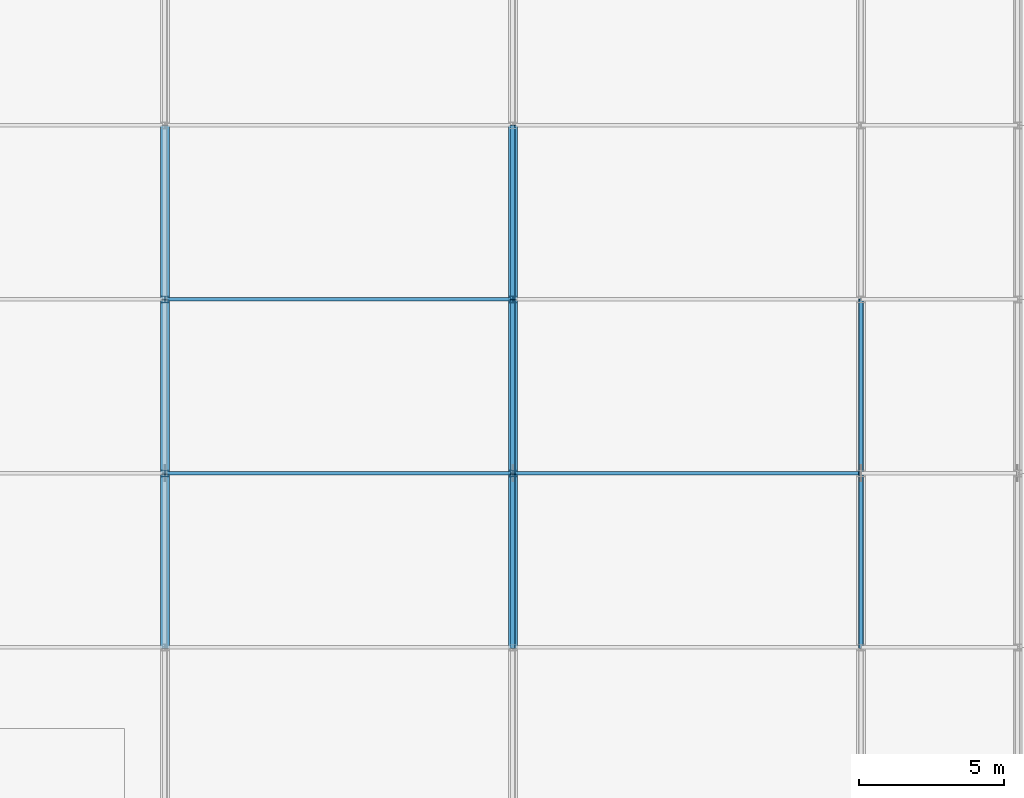
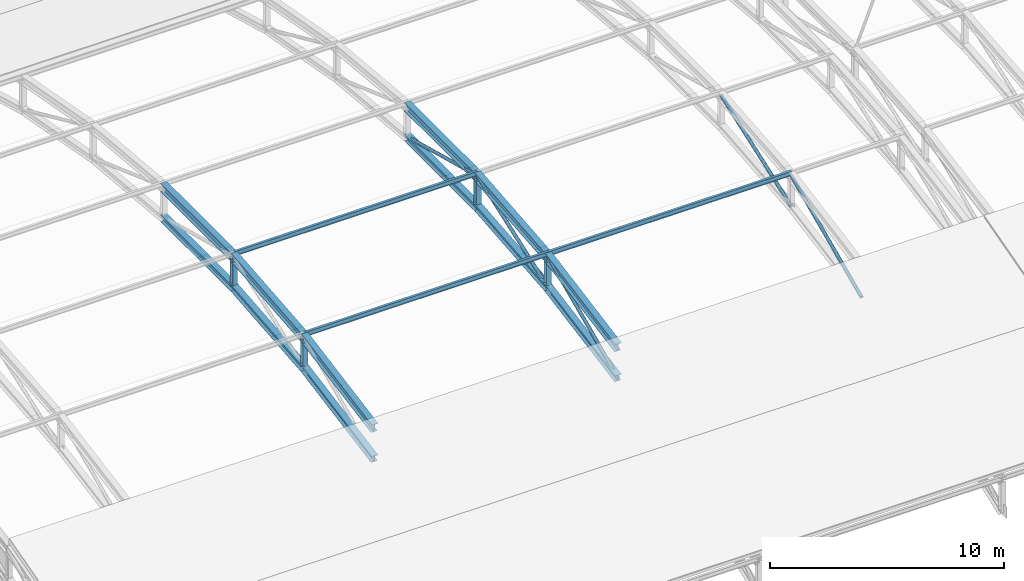
# One storey, part 30 of 204: 24 members.
"""IFC4 building model written with IfcOpenShell, lengths in metres."""

from ifc_helpers import new_model, si_unit, direction, frame, origin, origin_2d, place, context, subcontext, project, spatial, hollow_circle, i_section, extrude, material, material_profile, profile_set, type_object, element, save


model = new_model("IFC4")

# Units and contexts
model_context = context("Model", 3, precision=1e-05, world=origin(), true_north=direction((0.0, 1.0)))
body_context = subcontext(model_context, "Body", "Model", "MODEL_VIEW")
ifc_project = project(units=[si_unit("LENGTHUNIT", "METRE"), si_unit("AREAUNIT", "SQUARE_METRE"), si_unit("VOLUMEUNIT", "CUBIC_METRE"), si_unit("PLANEANGLEUNIT", "RADIAN"), si_unit("MASSUNIT", "GRAM", prefix="KILO")], contexts=[model_context])

# Site, building, storey
site_placement = place(None, origin())
site = spatial("IfcSite", under=ifc_project, at=site_placement, CompositionType="ELEMENT")
building_placement = place(site_placement, origin())
building = spatial("IfcBuilding", under=site, at=building_placement, Name="Zilviju Railside Exhibition Hall", CompositionType="ELEMENT")
storey_placement = place(building_placement, frame((0.0, 0.0, 21.0)))
storey = spatial("IfcBuildingStorey", under=building, at=storey_placement, Name="RF", CompositionType="ELEMENT", Elevation=21.0)

# Members
ifc_material = material(Name="Steel S355J2", Category="steel")
ifc_material_profile_1 = material_profile(ifc_material, hollow_circle(Radius=0.084228515625, WallThickness=0.008056640625, at=origin_2d()), Name="CHS 168.3x8.0")
ifc_profile_set_1 = profile_set([ifc_material_profile_1], Name="Steel S355J2")
member_type_1 = type_object("IfcMemberType", Name="TR-BR-CHS168", PredefinedType="BRACE", material=ifc_profile_set_1)
member_1_placement = place(storey_placement, frame((108.0, 12.0, -3.928466796875), z_axis=(0.0, 0.911563042822, 0.411160332425), x_axis=(-1.0, 0.0, 0.0)))
element("IfcMember", 1, at=member_1_placement, inside=storey, type_object=member_type_1, Name="V1 Parabolic Arch Web Diagonal X=108.0 P3", PredefinedType="BRACE", context=body_context, shape_type="SweptSolid", body=[
    extrude(hollow_circle(Radius=0.084228515625, WallThickness=0.008056640625, at=origin_2d()), origin(), (0.0, 0.0, 1.0), 6.58203125),
])
member_2_placement = place(storey_placement, frame((108.0, 18.0, -2.822265625), z_axis=(0.0, 0.94123307508, 0.337757751023), x_axis=(-1.0, 0.0, 0.0)))
element("IfcMember", 2, at=member_2_placement, inside=storey, type_object=member_type_1, Name="V1 Parabolic Arch Web Diagonal X=108.0 P4", PredefinedType="BRACE", context=body_context, shape_type="SweptSolid", body=[
    extrude(hollow_circle(Radius=0.084228515625, WallThickness=0.008056640625, at=origin_2d()), origin(), (0.0, 0.0, 1.0), 6.37451171875),
])
member_3_placement = place(storey_placement, frame((108.0, 24.0, -0.669189453125), z_axis=(0.0, 0.966240812345, -0.257640626762), x_axis=(-1.0, 0.0, 0.0)))
element("IfcMember", 3, at=member_3_placement, inside=storey, type_object=member_type_1, Name="V1 Parabolic Arch Web Diagonal X=108.0 P5", PredefinedType="BRACE", context=body_context, shape_type="SweptSolid", body=[
    extrude(hollow_circle(Radius=0.084228515625, WallThickness=0.008056640625, at=origin_2d()), origin(), (0.0, 0.0, 1.0), 6.209716796875),
])
member_4_placement = place(storey_placement, frame((120.0, 12.0, -3.928466796875), z_axis=(0.0, 0.911563042822, 0.411160332425), x_axis=(-1.0, 0.0, 0.0)))
element("IfcMember", 4, at=member_4_placement, inside=storey, type_object=member_type_1, Name="V1 Parabolic Arch Web Diagonal X=120.0 P3", PredefinedType="BRACE", context=body_context, shape_type="SweptSolid", body=[
    extrude(hollow_circle(Radius=0.084228515625, WallThickness=0.008056640625, at=origin_2d()), origin(), (0.0, 0.0, 1.0), 6.58203125),
])
member_5_placement = place(storey_placement, frame((120.0, 18.0, -2.822265625), z_axis=(0.0, 0.94123307508, 0.337757751023), x_axis=(-1.0, 0.0, 0.0)))
element("IfcMember", 5, at=member_5_placement, inside=storey, type_object=member_type_1, Name="V1 Parabolic Arch Web Diagonal X=120.0 P4", PredefinedType="BRACE", context=body_context, shape_type="SweptSolid", body=[
    extrude(hollow_circle(Radius=0.084228515625, WallThickness=0.008056640625, at=origin_2d()), origin(), (0.0, 0.0, 1.0), 6.37451171875),
])
ifc_material_profile_2 = material_profile(ifc_material, i_section(OverallWidth=0.300048828125, OverallDepth=0.360107421875, WebThickness=0.012451171875, FlangeThickness=0.0224609375, at=origin_2d()), Name="HEB 360")
ifc_profile_set_2 = profile_set([ifc_material_profile_2], Name="Steel S355J2")
member_type_2 = type_object("IfcMemberType", Name="TR-CH-HEB360", PredefinedType="CHORD", material=ifc_profile_set_2)
member_6_placement = place(storey_placement, frame((96.0, 12.0, -3.928466796875), z_axis=(0.0, 0.98342578549, 0.18131112606), x_axis=(-1.0, 0.0, 0.0)))
element("IfcMember", 6, at=member_6_placement, inside=storey, type_object=member_type_2, Name="V1 Parabolic Arch Bottom Chord X=96.0 P3", PredefinedType="CHORD", context=body_context, shape_type="SweptSolid", body=[
    extrude(i_section(OverallWidth=0.300048828125, OverallDepth=0.360107421875, WebThickness=0.012451171875, FlangeThickness=0.0224609375, at=origin_2d()), origin(), (0.0, 0.0, 1.0), 6.10107421875),
])
member_7_placement = place(storey_placement, frame((96.0, 18.0, -2.822265625), z_axis=(0.0, 0.995776144786, 0.091814320641), x_axis=(-1.0, 0.0, 0.0)))
element("IfcMember", 7, at=member_7_placement, inside=storey, type_object=member_type_2, Name="V1 Parabolic Arch Bottom Chord X=96.0 P4", PredefinedType="CHORD", context=body_context, shape_type="SweptSolid", body=[
    extrude(i_section(OverallWidth=0.300048828125, OverallDepth=0.360107421875, WebThickness=0.012451171875, FlangeThickness=0.0224609375, at=origin_2d()), origin(), (0.0, 0.0, 1.0), 6.025390625),
])
member_8_placement = place(storey_placement, frame((96.0, 24.0, -2.26904296875), z_axis=(0.0, 1.0, 0.0), x_axis=(-1.0, 0.0, 0.0)))
element("IfcMember", 8, at=member_8_placement, inside=storey, type_object=member_type_2, Name="V1 Parabolic Arch Bottom Chord X=96.0 P5", PredefinedType="CHORD", context=body_context, shape_type="SweptSolid", body=[
    extrude(i_section(OverallWidth=0.300048828125, OverallDepth=0.360107421875, WebThickness=0.012451171875, FlangeThickness=0.0224609375, at=origin_2d()), origin(), (0.0, 0.0, 1.0), 6.0),
])
member_9_placement = place(storey_placement, frame((108.0, 12.0, -3.928466796875), z_axis=(0.0, 0.98342578549, 0.18131112606), x_axis=(-1.0, 0.0, 0.0)))
element("IfcMember", 9, at=member_9_placement, inside=storey, type_object=member_type_2, Name="V1 Parabolic Arch Bottom Chord X=108.0 P3", PredefinedType="CHORD", context=body_context, shape_type="SweptSolid", body=[
    extrude(i_section(OverallWidth=0.300048828125, OverallDepth=0.360107421875, WebThickness=0.012451171875, FlangeThickness=0.0224609375, at=origin_2d()), origin(), (0.0, 0.0, 1.0), 6.10107421875),
])
member_10_placement = place(storey_placement, frame((108.0, 18.0, -2.822265625), z_axis=(0.0, 0.995776144786, 0.091814320641), x_axis=(-1.0, 0.0, 0.0)))
element("IfcMember", 10, at=member_10_placement, inside=storey, type_object=member_type_2, Name="V1 Parabolic Arch Bottom Chord X=108.0 P4", PredefinedType="CHORD", context=body_context, shape_type="SweptSolid", body=[
    extrude(i_section(OverallWidth=0.300048828125, OverallDepth=0.360107421875, WebThickness=0.012451171875, FlangeThickness=0.0224609375, at=origin_2d()), origin(), (0.0, 0.0, 1.0), 6.025390625),
])
member_11_placement = place(storey_placement, frame((108.0, 24.0, -2.26904296875), z_axis=(0.0, 1.0, 0.0), x_axis=(-1.0, 0.0, 0.0)))
element("IfcMember", 11, at=member_11_placement, inside=storey, type_object=member_type_2, Name="V1 Parabolic Arch Bottom Chord X=108.0 P5", PredefinedType="CHORD", context=body_context, shape_type="SweptSolid", body=[
    extrude(i_section(OverallWidth=0.300048828125, OverallDepth=0.360107421875, WebThickness=0.012451171875, FlangeThickness=0.0224609375, at=origin_2d()), origin(), (0.0, 0.0, 1.0), 6.0),
])
ifc_material_profile_3 = material_profile(ifc_material, i_section(OverallWidth=0.300048828125, OverallDepth=0.449951171875, WebThickness=0.013916015625, FlangeThickness=0.02587890625, at=origin_2d()), Name="HEB 450")
ifc_profile_set_3 = profile_set([ifc_material_profile_3], Name="Steel S355J2")
member_type_3 = type_object("IfcMemberType", Name="TR-CH-HEB450", PredefinedType="CHORD", material=ifc_profile_set_3)
member_12_placement = place(storey_placement, frame((96.0, 12.0, -2.328369140625), z_axis=(0.0, 0.98342578549, 0.18131112606), x_axis=(-1.0, 0.0, 0.0)))
element("IfcMember", 12, at=member_12_placement, inside=storey, type_object=member_type_3, Name="V1 Parabolic Arch Top Chord X=96.0 P3", PredefinedType="CHORD", context=body_context, shape_type="SweptSolid", body=[
    extrude(i_section(OverallWidth=0.300048828125, OverallDepth=0.449951171875, WebThickness=0.013916015625, FlangeThickness=0.02587890625, at=origin_2d()), origin(), (0.0, 0.0, 1.0), 6.10107421875),
])
member_13_placement = place(storey_placement, frame((96.0, 18.0, -1.22216796875), z_axis=(0.0, 0.99577984843, 0.091774143746), x_axis=(-1.0, 0.0, 0.0)))
element("IfcMember", 13, at=member_13_placement, inside=storey, type_object=member_type_3, Name="V1 Parabolic Arch Top Chord X=96.0 P4", PredefinedType="CHORD", context=body_context, shape_type="SweptSolid", body=[
    extrude(i_section(OverallWidth=0.300048828125, OverallDepth=0.449951171875, WebThickness=0.013916015625, FlangeThickness=0.02587890625, at=origin_2d()), origin(), (0.0, 0.0, 1.0), 6.025390625),
])
member_14_placement = place(storey_placement, frame((96.0, 24.0, -0.669189453125), z_axis=(0.0, 1.0, 0.0), x_axis=(-1.0, 0.0, 0.0)))
element("IfcMember", 14, at=member_14_placement, inside=storey, type_object=member_type_3, Name="V1 Parabolic Arch Top Chord X=96.0 P5", PredefinedType="CHORD", context=body_context, shape_type="SweptSolid", body=[
    extrude(i_section(OverallWidth=0.300048828125, OverallDepth=0.449951171875, WebThickness=0.013916015625, FlangeThickness=0.02587890625, at=origin_2d()), origin(), (0.0, 0.0, 1.0), 6.0),
])
member_15_placement = place(storey_placement, frame((108.0, 12.0, -2.328369140625), z_axis=(0.0, 0.98342578549, 0.18131112606), x_axis=(-1.0, 0.0, 0.0)))
element("IfcMember", 15, at=member_15_placement, inside=storey, type_object=member_type_3, Name="V1 Parabolic Arch Top Chord X=108.0 P3", PredefinedType="CHORD", context=body_context, shape_type="SweptSolid", body=[
    extrude(i_section(OverallWidth=0.300048828125, OverallDepth=0.449951171875, WebThickness=0.013916015625, FlangeThickness=0.02587890625, at=origin_2d()), origin(), (0.0, 0.0, 1.0), 6.10107421875),
])
member_16_placement = place(storey_placement, frame((108.0, 18.0, -1.22216796875), z_axis=(0.0, 0.99577984843, 0.091774143746), x_axis=(-1.0, 0.0, 0.0)))
element("IfcMember", 16, at=member_16_placement, inside=storey, type_object=member_type_3, Name="V1 Parabolic Arch Top Chord X=108.0 P4", PredefinedType="CHORD", context=body_context, shape_type="SweptSolid", body=[
    extrude(i_section(OverallWidth=0.300048828125, OverallDepth=0.449951171875, WebThickness=0.013916015625, FlangeThickness=0.02587890625, at=origin_2d()), origin(), (0.0, 0.0, 1.0), 6.025390625),
])
member_17_placement = place(storey_placement, frame((108.0, 24.0, -0.669189453125), z_axis=(0.0, 1.0, 0.0), x_axis=(-1.0, 0.0, 0.0)))
element("IfcMember", 17, at=member_17_placement, inside=storey, type_object=member_type_3, Name="V1 Parabolic Arch Top Chord X=108.0 P5", PredefinedType="CHORD", context=body_context, shape_type="SweptSolid", body=[
    extrude(i_section(OverallWidth=0.300048828125, OverallDepth=0.449951171875, WebThickness=0.013916015625, FlangeThickness=0.02587890625, at=origin_2d()), origin(), (0.0, 0.0, 1.0), 6.0),
])
ifc_material_profile_4 = material_profile(ifc_material, i_section(OverallWidth=0.239990234375, OverallDepth=0.22998046875, WebThickness=0.007568359375, FlangeThickness=0.011962890625, at=origin_2d()), Name="HEA 240")
ifc_profile_set_4 = profile_set([ifc_material_profile_4], Name="Steel S355J2")
member_type_4 = type_object("IfcMemberType", Name="TR-POST-HEA240", PredefinedType="POST", material=ifc_profile_set_4)
member_18_placement = place(storey_placement, frame((96.0, 18.0, -2.822265625), z_axis=(0.0, 0.0, 1.0), x_axis=(1.0, 0.0, 0.0)))
element("IfcMember", 18, at=member_18_placement, inside=storey, type_object=member_type_4, Name="V1 Parabolic Arch Web Post X=96.0 N3", PredefinedType="POST", context=body_context, shape_type="SweptSolid", body=[
    extrude(i_section(OverallWidth=0.239990234375, OverallDepth=0.22998046875, WebThickness=0.007568359375, FlangeThickness=0.011962890625, at=origin_2d()), origin(), (0.0, 0.0, 1.0), 1.60009765625),
])
member_19_placement = place(storey_placement, frame((96.0, 24.0, -2.26904296875), z_axis=(0.0, 0.0, 1.0), x_axis=(1.0, 0.0, 0.0)))
element("IfcMember", 19, at=member_19_placement, inside=storey, type_object=member_type_4, Name="V1 Parabolic Arch Web Post X=96.0 N4", PredefinedType="POST", context=body_context, shape_type="SweptSolid", body=[
    extrude(i_section(OverallWidth=0.239990234375, OverallDepth=0.22998046875, WebThickness=0.007568359375, FlangeThickness=0.011962890625, at=origin_2d()), origin(), (0.0, 0.0, 1.0), 1.599853515625),
])
member_20_placement = place(storey_placement, frame((108.0, 18.0, -2.822265625), z_axis=(0.0, 0.0, 1.0), x_axis=(1.0, 0.0, 0.0)))
element("IfcMember", 20, at=member_20_placement, inside=storey, type_object=member_type_4, Name="V1 Parabolic Arch Web Post X=108.0 N3", PredefinedType="POST", context=body_context, shape_type="SweptSolid", body=[
    extrude(i_section(OverallWidth=0.239990234375, OverallDepth=0.22998046875, WebThickness=0.007568359375, FlangeThickness=0.011962890625, at=origin_2d()), origin(), (0.0, 0.0, 1.0), 1.60009765625),
])
member_21_placement = place(storey_placement, frame((108.0, 24.0, -2.26904296875), z_axis=(0.0, 0.0, 1.0), x_axis=(1.0, 0.0, 0.0)))
element("IfcMember", 21, at=member_21_placement, inside=storey, type_object=member_type_4, Name="V1 Parabolic Arch Web Post X=108.0 N4", PredefinedType="POST", context=body_context, shape_type="SweptSolid", body=[
    extrude(i_section(OverallWidth=0.239990234375, OverallDepth=0.22998046875, WebThickness=0.007568359375, FlangeThickness=0.011962890625, at=origin_2d()), origin(), (0.0, 0.0, 1.0), 1.599853515625),
])
ifc_material_profile_5 = material_profile(ifc_material, i_section(OverallWidth=0.1201171875, OverallDepth=0.239990234375, WebThickness=0.006103515625, FlangeThickness=0.009765625, at=origin_2d()), Name="IPE 240")
ifc_profile_set_5 = profile_set([ifc_material_profile_5], Name="Steel S355J2")
member_type_5 = type_object("IfcMemberType", Name="TR-PUR-IPE240", PredefinedType="PURLIN", material=ifc_profile_set_5)
for number, where, z_axis, x_axis, name in (
    (22, (96.0, 18.0, -1.0771484375), (1.0, 0.0, 0.0), (0.0, 1.0, 0.0), "V1 Barrel Vault Roof Purlin Y=18.0 (96.0..108.0)"),
    (23, (96.0, 24.0, -0.515625), (1.0, 0.0, 0.0), (0.0, 1.0, 0.0), "V1 Barrel Vault Roof Purlin Y=24.0 (96.0..108.0)"),
    (24, (108.0, 18.0, -1.0771484375), (1.0, 0.0, 0.0), (0.0, 1.0, 0.0), "V1 Barrel Vault Roof Purlin Y=18.0 (108.0..120.0)"),
):
    element("IfcMember", number, at=place(storey_placement, frame(where, z_axis=z_axis, x_axis=x_axis)), inside=storey, type_object=member_type_5, Name=name, PredefinedType="PURLIN", context=body_context, shape_type="SweptSolid", body=[
        extrude(i_section(OverallWidth=0.1201171875, OverallDepth=0.239990234375, WebThickness=0.006103515625, FlangeThickness=0.009765625, at=origin_2d()), origin(), (0.0, 0.0, 1.0), 12.0),
    ])

save(model, "model.ifc")
